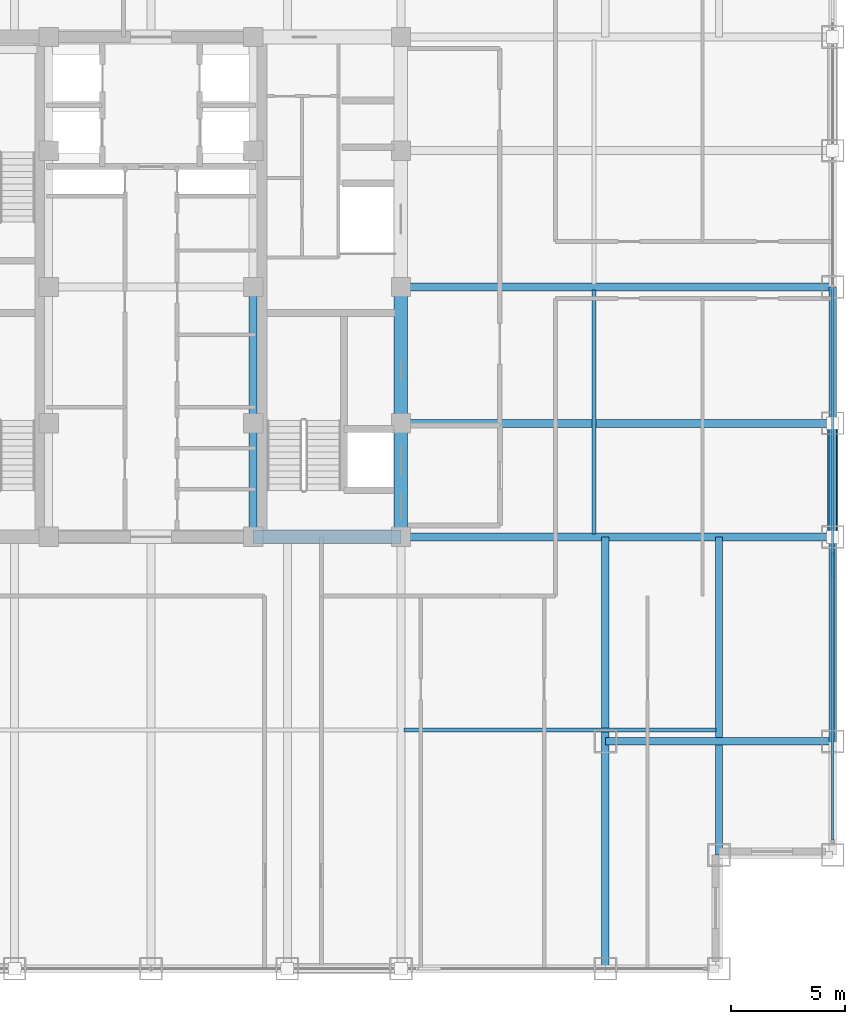
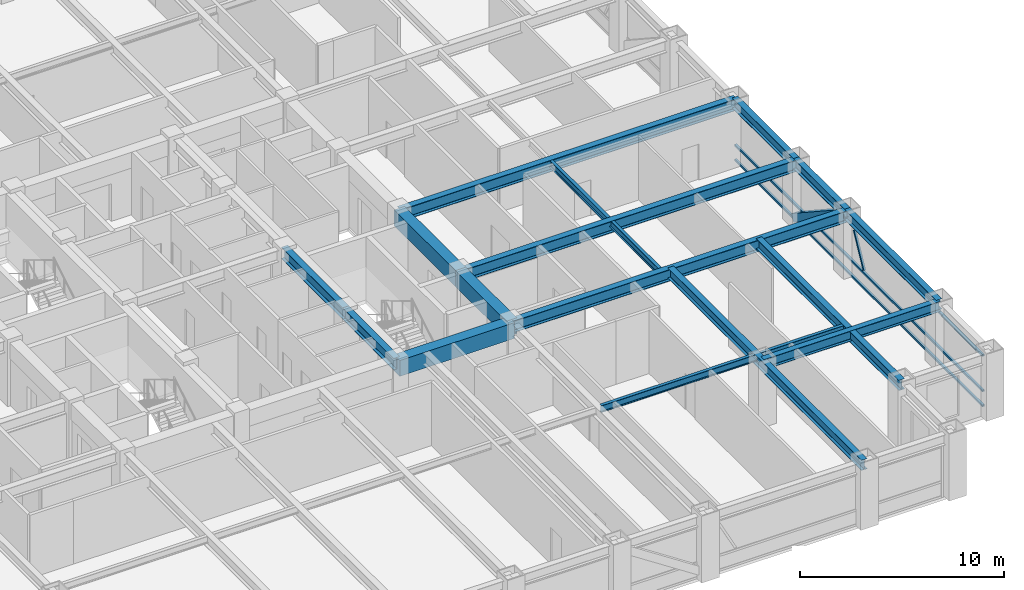
# One storey, part 9 of 25: 16 beams, 5 members, 1 element without a shape of its own.
"""IFC4 building model written with IfcOpenShell, lengths in metres."""

from ifc_helpers import new_model, si_unit, direction, frame, origin, origin_2d, place, context, subcontext, project, spatial, rectangle, hollow_rectangle, i_section, extrude, source, transform, mapped, material, material_profile, profile_set, type_object, element, aggregate, save


model = new_model("IFC4")

# Units and contexts
model_context = context("Model", 3, precision=1e-05, world=origin(), true_north=direction((0.0, 1.0)))
body_context = subcontext(model_context, "Body", "Model", "MODEL_VIEW")
ifc_project = project(units=[si_unit("LENGTHUNIT", "METRE"), si_unit("AREAUNIT", "SQUARE_METRE"), si_unit("VOLUMEUNIT", "CUBIC_METRE"), si_unit("PLANEANGLEUNIT", "RADIAN"), si_unit("MASSUNIT", "GRAM", prefix="KILO")], contexts=[model_context])

# Site, building, storey
site_placement = place(None, origin())
site = spatial("IfcSite", under=ifc_project, at=site_placement, CompositionType="ELEMENT")
building_placement = place(site_placement, origin())
building = spatial("IfcBuilding", under=site, at=building_placement, Name="Khorayat Bourse Tower", CompositionType="ELEMENT")
storey_placement = place(building_placement, frame((0.0, 0.0, 227.10009765625)))
storey = spatial("IfcBuildingStorey", under=building, at=storey_placement, Name="L53", CompositionType="ELEMENT", Elevation=227.10009765625)

# Beams
ifc_material_1 = material(Name="Steel ASTM A992 Grade 50", Category="steel")
ifc_material_profile_1 = material_profile(ifc_material_1, i_section(OverallWidth=0.35498046875, OverallDepth=0.695068359375, WebThickness=0.015380859375, FlangeThickness=0.02490234375, FilletRadius=0.01806640625, at=origin_2d()), Name="W690X217")
ifc_profile_set_1 = profile_set([ifc_material_profile_1], Name="Steel ASTM A992 Grade 50")
beam_type_1 = type_object("IfcBeamType", Name="BM-GIRD-690", PredefinedType="BEAM", material=ifc_profile_set_1)
shared_shape_1 = source(origin(), body_context, "Body", "SweptSolid", [
    extrude(i_section(OverallWidth=0.35498046875, OverallDepth=0.695068359375, WebThickness=0.015380859375, FlangeThickness=0.02490234375, FilletRadius=0.01806640625, at=origin_2d()), origin(), (0.0, 0.0, 1.0), 5.0),
])
beam_1_placement = place(storey_placement, frame((4.5, -11.0, 3.432373046875), z_axis=(0.0, 1.0, 0.0), x_axis=(-1.0, 0.0, 0.0)))
element("IfcBeam", 1, at=beam_1_placement, inside=storey, type_object=beam_type_1, Name="L53 BM-GIRD-690 BM-L53-CRX-09", PredefinedType="BEAM", context=body_context, shape_type="MappedRepresentation", body=[
    mapped(shared_shape_1, transform((0.0, 0.0, 0.0), scale=1.0)),
])
shared_shape_2 = source(origin(), body_context, "Body", "SweptSolid", [
    extrude(i_section(OverallWidth=0.35498046875, OverallDepth=0.695068359375, WebThickness=0.015380859375, FlangeThickness=0.02490234375, FilletRadius=0.01806640625, at=origin_2d()), origin(), (0.0, 0.0, 1.0), 6.0),
])
beam_2_placement = place(storey_placement, frame((4.5, -6.0, 3.432373046875), z_axis=(0.0, 1.0, 0.0), x_axis=(-1.0, 0.0, 0.0)))
element("IfcBeam", 2, at=beam_2_placement, inside=storey, type_object=beam_type_1, Name="L53 BM-GIRD-690 BM-L53-CRX-10", PredefinedType="BEAM", context=body_context, shape_type="MappedRepresentation", body=[
    mapped(shared_shape_2, transform((0.0, 0.0, 0.0), scale=1.0)),
])
ifc_material_profile_2 = material_profile(ifc_material_1, i_section(OverallWidth=0.324951171875, OverallDepth=0.615966796875, WebThickness=0.013916015625, FlangeThickness=0.021484375, FilletRadius=0.01611328125, at=origin_2d()), Name="W610X174")
ifc_profile_set_2 = profile_set([ifc_material_profile_2], Name="Steel ASTM A992 Grade 50")
beam_type_2 = type_object("IfcBeamType", Name="BM-GIRD-610", PredefinedType="BEAM", material=ifc_profile_set_2)
shared_shape_3 = source(origin(), body_context, "Body", "SweptSolid", [
    extrude(i_section(OverallWidth=0.324951171875, OverallDepth=0.615966796875, WebThickness=0.013916015625, FlangeThickness=0.021484375, FilletRadius=0.01611328125, at=origin_2d()), origin(), (0.0, 0.0, 1.0), 19.0),
])
beam_3_placement = place(storey_placement, frame((20.0, -30.0, 3.471923828125), z_axis=(0.0, 1.0, 0.0), x_axis=(-1.0, 0.0, 0.0)))
element("IfcBeam", 3, at=beam_3_placement, inside=storey, type_object=beam_type_2, Name="L53 BM-GIRD-610 BM-L53-CNRY-086", PredefinedType="BEAM", context=body_context, shape_type="MappedRepresentation", body=[
    mapped(shared_shape_3, transform((0.0, 0.0, 0.0), scale=1.0)),
])
shared_shape_4 = source(origin(), body_context, "Body", "SweptSolid", [
    extrude(i_section(OverallWidth=0.324951171875, OverallDepth=0.615966796875, WebThickness=0.013916015625, FlangeThickness=0.021484375, FilletRadius=0.01611328125, at=origin_2d()), origin(), (0.0, 0.0, 1.0), 10.0),
])
beam_4_placement = place(storey_placement, frame((20.0, -20.0, 3.471923828125), z_axis=(1.0, 0.0, 0.0), x_axis=(0.0, 1.0, 0.0)))
element("IfcBeam", 4, at=beam_4_placement, inside=storey, type_object=beam_type_2, Name="L53 BM-GIRD-610 BM-L53-CNRX-092", PredefinedType="BEAM", context=body_context, shape_type="MappedRepresentation", body=[
    mapped(shared_shape_4, transform((0.0, 0.0, 0.0), scale=1.0)),
])
ifc_material_profile_3 = material_profile(ifc_material_1, i_section(OverallWidth=0.180908203125, OverallDepth=0.4169921875, WebThickness=0.010986328125, FlangeThickness=0.018310546875, FilletRadius=0.011962890625, at=origin_2d()), Name="W410X85")
ifc_profile_set_3 = profile_set([ifc_material_profile_3], Name="Steel ASTM A992 Grade 50")
beam_type_3 = type_object("IfcBeamType", Name="BM-JOIST-410", PredefinedType="JOIST", material=ifc_profile_set_3)
shared_shape_5 = source(origin(), body_context, "Body", "SweptSolid", [
    extrude(i_section(OverallWidth=0.180908203125, OverallDepth=0.4169921875, WebThickness=0.010986328125, FlangeThickness=0.018310546875, FilletRadius=0.011962890625, at=origin_2d()), origin(), (0.0, 0.0, 1.0), 10.740234375),
])
beam_5_placement = place(storey_placement, frame((19.5, -10.8701171875, 3.5712890625), z_axis=(0.0, 1.0, 0.0), x_axis=(-1.0, 0.0, 0.0)))
element("IfcBeam", 5, at=beam_5_placement, inside=storey, type_object=beam_type_3, Name="L53 BM-JOIST-410 BM-L53-JSTY-104", PredefinedType="JOIST", context=body_context, shape_type="MappedRepresentation", body=[
    mapped(shared_shape_5, transform((0.0, 0.0, 0.0), scale=1.0)),
])
ifc_material_profile_4 = material_profile(ifc_material_1, i_section(OverallWidth=0.324951171875, OverallDepth=0.615966796875, WebThickness=0.013916015625, FlangeThickness=0.021484375, FilletRadius=0.01611328125, at=origin_2d()), Name="W610X174")
ifc_profile_set_4 = profile_set([ifc_material_profile_4], Name="Steel ASTM A992 Grade 50")
beam_type_4 = type_object("IfcBeamType", Name="BM-SPAN-610", PredefinedType="SPANDREL", material=ifc_profile_set_4)
shared_shape_6 = source(origin(), body_context, "Body", "SweptSolid", [
    extrude(i_section(OverallWidth=0.324951171875, OverallDepth=0.615966796875, WebThickness=0.013916015625, FlangeThickness=0.021484375, FilletRadius=0.01611328125, at=origin_2d()), origin(), (0.0, 0.0, 1.0), 9.0),
])
beam_6_placement = place(storey_placement, frame((30.0, -20.0, 3.471923828125), z_axis=(0.0, 1.0, 0.0), x_axis=(-1.0, 0.0, 0.0)))
element("IfcBeam", 6, at=beam_6_placement, inside=storey, type_object=beam_type_4, Name="L53 BM-SPAN-610 BM-L53-SPN-035", PredefinedType="SPANDREL", context=body_context, shape_type="MappedRepresentation", body=[
    mapped(shared_shape_6, transform((0.0, 0.0, 0.0), scale=1.0)),
])
shared_shape_7 = source(origin(), body_context, "Body", "SweptSolid", [
    extrude(i_section(OverallWidth=0.324951171875, OverallDepth=0.615966796875, WebThickness=0.013916015625, FlangeThickness=0.021484375, FilletRadius=0.01611328125, at=origin_2d()), origin(), (0.0, 0.0, 1.0), 5.0),
])
beam_7_placement = place(storey_placement, frame((30.0, -11.0, 3.471923828125), z_axis=(0.0, 1.0, 0.0), x_axis=(-1.0, 0.0, 0.0)))
element("IfcBeam", 7, at=beam_7_placement, inside=storey, type_object=beam_type_4, Name="L53 BM-SPAN-610 BM-L53-SPN-036", PredefinedType="SPANDREL", context=body_context, shape_type="MappedRepresentation", body=[
    mapped(shared_shape_7, transform((0.0, 0.0, 0.0), scale=1.0)),
])
shared_shape_8 = source(origin(), body_context, "Body", "SweptSolid", [
    extrude(i_section(OverallWidth=0.324951171875, OverallDepth=0.615966796875, WebThickness=0.013916015625, FlangeThickness=0.021484375, FilletRadius=0.01611328125, at=origin_2d()), origin(), (0.0, 0.0, 1.0), 6.0),
])
beam_8_placement = place(storey_placement, frame((30.0, -6.0, 3.471923828125), z_axis=(0.0, 1.0, 0.0), x_axis=(-1.0, 0.0, 0.0)))
element("IfcBeam", 8, at=beam_8_placement, inside=storey, type_object=beam_type_4, Name="L53 BM-SPAN-610 BM-L53-SPN-037", PredefinedType="SPANDREL", context=body_context, shape_type="MappedRepresentation", body=[
    mapped(shared_shape_8, transform((0.0, 0.0, 0.0), scale=1.0)),
])
ifc_material_2 = material(Name="Concrete C60/75", Category="concrete")
ifc_material_profile_5 = material_profile(ifc_material_2, rectangle(XDim=0.60009765625, YDim=0.949951171875, at=origin_2d()), Name="RC 600x950")
ifc_profile_set_5 = profile_set([ifc_material_profile_5], Name="Concrete C60/75")
beam_type_5 = type_object("IfcBeamType", Name="BM-COUP-950", PredefinedType="BEAM", material=ifc_profile_set_5)
shared_shape_9 = source(origin(), body_context, "Body", "SweptSolid", [
    extrude(rectangle(XDim=0.60009765625, YDim=0.949951171875, at=origin_2d()), origin(), (0.0, 0.0, 1.0), 5.0),
])
beam_9_placement = place(storey_placement, frame((11.0, -11.0, 3.304931640625), z_axis=(0.0, 1.0, 0.0), x_axis=(-1.0, 0.0, 0.0)))
element("IfcBeam", 9, at=beam_9_placement, inside=storey, type_object=beam_type_5, Name="L53 BM-COUP-950 BM-L53-CRX-13", PredefinedType="BEAM", context=body_context, shape_type="MappedRepresentation", body=[
    mapped(shared_shape_9, transform((0.0, 0.0, 0.0), scale=1.0)),
])
shared_shape_10 = source(origin(), body_context, "Body", "SweptSolid", [
    extrude(rectangle(XDim=0.60009765625, YDim=0.949951171875, at=origin_2d()), origin(), (0.0, 0.0, 1.0), 6.0),
])
beam_10_placement = place(storey_placement, frame((11.0, -6.0, 3.304931640625), z_axis=(0.0, 1.0, 0.0), x_axis=(-1.0, 0.0, 0.0)))
element("IfcBeam", 10, at=beam_10_placement, inside=storey, type_object=beam_type_5, Name="L53 BM-COUP-950 BM-L53-CRX-14", PredefinedType="BEAM", context=body_context, shape_type="MappedRepresentation", body=[
    mapped(shared_shape_10, transform((0.0, 0.0, 0.0), scale=1.0)),
])
shared_shape_11 = source(origin(), body_context, "Body", "SweptSolid", [
    extrude(rectangle(XDim=0.60009765625, YDim=0.949951171875, at=origin_2d()), origin(), (0.0, 0.0, 1.0), 6.5),
])
beam_11_placement = place(storey_placement, frame((4.5, -11.0, 3.304931640625), z_axis=(1.0, 0.0, 0.0), x_axis=(0.0, 1.0, 0.0)))
element("IfcBeam", 11, at=beam_11_placement, inside=storey, type_object=beam_type_5, Name="L53 BM-COUP-950 BM-L53-CRY-19", PredefinedType="BEAM", context=body_context, shape_type="MappedRepresentation", body=[
    mapped(shared_shape_11, transform((0.0, 0.0, 0.0), scale=1.0)),
])
shared_shape_12 = source(origin(), body_context, "Body", "SweptSolid", [
    extrude(i_section(OverallWidth=0.35498046875, OverallDepth=0.695068359375, WebThickness=0.015380859375, FlangeThickness=0.02490234375, FilletRadius=0.01806640625, at=origin_2d()), origin(), (0.0, 0.0, 1.0), 19.0),
])
for number, where, z_axis, x_axis, name in (
    (12, (11.0, -11.0, 3.432373046875), (1.0, 0.0, 0.0), (0.0, 1.0, 0.0), "L53 BM-GIRD-690 BM-L53-RADX-074"),
    (13, (11.0, -6.0, 3.432373046875), (1.0, 0.0, 0.0), (0.0, 1.0, 0.0), "L53 BM-GIRD-690 BM-L53-RADX-076"),
    (14, (11.0, 0.0, 3.432373046875), (1.0, 0.0, 0.0), (0.0, 1.0, 0.0), "L53 BM-GIRD-690 BM-L53-RADX-078"),
):
    element("IfcBeam", number, at=place(storey_placement, frame(where, z_axis=z_axis, x_axis=x_axis)), inside=storey, type_object=beam_type_1, Name=name, PredefinedType="BEAM", context=body_context, shape_type="MappedRepresentation", body=[
        mapped(shared_shape_12, transform((0.0, 0.0, 0.0), scale=1.0)),
    ])
shared_shape_13 = source(origin(), body_context, "Body", "SweptSolid", [
    extrude(i_section(OverallWidth=0.324951171875, OverallDepth=0.615966796875, WebThickness=0.013916015625, FlangeThickness=0.021484375, FilletRadius=0.01611328125, at=origin_2d()), origin(), (0.0, 0.0, 1.0), 14.0),
])
beam_12_placement = place(storey_placement, frame((25.0, -25.0, 3.471923828125), z_axis=(0.0, 1.0, 0.0), x_axis=(-1.0, 0.0, 0.0)))
element("IfcBeam", 15, at=beam_12_placement, inside=storey, type_object=beam_type_2, Name="L53 BM-GIRD-610 BM-L53-CNRY-090", PredefinedType="BEAM", context=body_context, shape_type="MappedRepresentation", body=[
    mapped(shared_shape_13, transform((0.0, 0.0, 0.0), scale=1.0)),
])
shared_shape_14 = source(origin(), body_context, "Body", "SweptSolid", [
    extrude(i_section(OverallWidth=0.180908203125, OverallDepth=0.4169921875, WebThickness=0.010986328125, FlangeThickness=0.018310546875, FilletRadius=0.011962890625, at=origin_2d()), origin(), (0.0, 0.0, 1.0), 13.740234375),
])
beam_13_placement = place(storey_placement, frame((11.1298828125, -19.5, 3.5712890625), z_axis=(1.0, 0.0, 0.0), x_axis=(0.0, 1.0, 0.0)))
element("IfcBeam", 16, at=beam_13_placement, inside=storey, type_object=beam_type_3, Name="L53 BM-JOIST-410 BM-L53-JSTX-098", PredefinedType="JOIST", context=body_context, shape_type="MappedRepresentation", body=[
    mapped(shared_shape_14, transform((0.0, 0.0, 0.0), scale=1.0)),
])

# Member
ifc_material_3 = material(Name="Steel EN 10025-4 S460M", Category="steel")
ifc_material_profile_6 = material_profile(ifc_material_3, hollow_rectangle(XDim=0.449951171875, YDim=0.449951171875, WallThickness=0.02490234375, at=origin_2d()), Name="HSS 450x450x25")
ifc_profile_set_6 = profile_set([ifc_material_profile_6], Name="Steel EN 10025-4 S460M")
member_type_1 = type_object("IfcMemberType", Name="MBR-TUBE-450", PredefinedType="BRACE", material=ifc_profile_set_6)
shared_shape_15 = source(origin(), body_context, "Body", "SweptSolid", [
    extrude(hollow_rectangle(XDim=0.449951171875, YDim=0.449951171875, WallThickness=0.02490234375, at=origin_2d()), origin(), (0.0, 0.0, 1.0), 5.979736328125),
])
member_1_placement = place(storey_placement, frame((30.0, -11.0, 3.52978515625), z_axis=(0.0, 0.836160261256, -0.548485202623), x_axis=(-1.0, 0.0, 0.0)))
element("IfcMember", 17, at=member_1_placement, inside=storey, type_object=member_type_1, Name="L53 Perimeter Tube Brace 07", PredefinedType="BRACE", context=body_context, shape_type="MappedRepresentation", body=[
    mapped(shared_shape_15, transform((0.0, 0.0, 0.0), scale=1.0)),
])

# Curtain wall, members
ifc_material_4 = material(Name="Aluminium EN AW-6063 T6", Category="aluminium")
curtain_wall_type = type_object("IfcCurtainWallType", Name="CW-SYS-03", PredefinedType="NOTDEFINED", material=ifc_material_4)
curtain_wall_placement = place(storey_placement, origin())
curtain_wall = element("IfcCurtainWall", 18, at=curtain_wall_placement, inside=storey, type_object=curtain_wall_type, Name="L53 Curtain Wall CW-L53-E1", PredefinedType="NOTDEFINED")
ifc_material_profile_7 = material_profile(ifc_material_4, hollow_rectangle(XDim=0.1201171875, YDim=0.1201171875, WallThickness=0.0048828125, at=origin_2d()), Name="ALU 120x120x5")
ifc_profile_set_7 = profile_set([ifc_material_profile_7], Name="Aluminium EN AW-6063 T6")
member_type_2 = type_object("IfcMemberType", Name="CWM-DIAG-120", PredefinedType="MULLION", material=ifc_profile_set_7)
shared_shape_16 = source(origin(), body_context, "Body", "SweptSolid", [
    extrude(hollow_rectangle(XDim=0.1201171875, YDim=0.1201171875, WallThickness=0.0048828125, at=origin_2d()), origin(), (0.0, 0.0, 1.0), 2.079345703125),
])
member_2_placement = place(storey_placement, frame((30.0, -12.67919921875, 1.08984375), z_axis=(0.0, 0.465760949701, 0.884910581773), x_axis=(-1.0, 0.0, 0.0)))
member_2 = element("IfcMember", 19, at=member_2_placement, type_object=member_type_2, Name="CW-L53-E1 Faceted Diagonal Mullion 1", PredefinedType="MULLION", context=body_context, shape_type="MappedRepresentation", body=[
    mapped(shared_shape_16, transform((0.0, 0.0, 0.0), scale=1.0)),
])
ifc_material_profile_8 = material_profile(ifc_material_4, hollow_rectangle(XDim=0.1201171875, YDim=0.1201171875, WallThickness=0.0048828125, at=origin_2d()), Name="ALU 120x120x5")
ifc_profile_set_8 = profile_set([ifc_material_profile_8], Name="Aluminium EN AW-6063 T6")
member_type_3 = type_object("IfcMemberType", Name="CWT-HORZ-120", PredefinedType="USERDEFINED", material=ifc_profile_set_8)
shared_shape_17 = source(origin(), body_context, "Body", "SweptSolid", [
    extrude(hollow_rectangle(XDim=0.1201171875, YDim=0.1201171875, WallThickness=0.0048828125, at=origin_2d()), origin(), (0.0, 0.0, 1.0), 24.27001953125),
])
member_3_placement = place(storey_placement, frame((30.0, -24.330078125, 0.059814453125), z_axis=(0.0, 1.0, 0.0), x_axis=(-1.0, 0.0, 0.0)))
member_3 = element("IfcMember", 20, at=member_3_placement, type_object=member_type_3, Name="CW-L53-E1 Horizontal Transom 1-1", ObjectType="TRANSOM", PredefinedType="USERDEFINED", context=body_context, shape_type="MappedRepresentation", body=[
    mapped(shared_shape_17, transform((0.0, 0.0, 0.0), scale=1.0)),
])
member_4_placement = place(storey_placement, frame((30.0, -24.330078125, 0.949951171875), z_axis=(0.0, 1.0, 0.0), x_axis=(-1.0, 0.0, 0.0)))
member_4 = element("IfcMember", 21, at=member_4_placement, type_object=member_type_3, Name="CW-L53-E1 Horizontal Transom 1-2", ObjectType="TRANSOM", PredefinedType="USERDEFINED", context=body_context, shape_type="MappedRepresentation", body=[
    mapped(shared_shape_17, transform((0.0, 0.0, 0.0), scale=1.0)),
])
member_5_placement = place(storey_placement, frame((30.0, -24.330078125, 3.06982421875), z_axis=(0.0, 1.0, 0.0), x_axis=(-1.0, 0.0, 0.0)))
member_5 = element("IfcMember", 22, at=member_5_placement, type_object=member_type_3, Name="CW-L53-E1 Horizontal Transom 1-3", ObjectType="TRANSOM", PredefinedType="USERDEFINED", context=body_context, shape_type="MappedRepresentation", body=[
    mapped(shared_shape_17, transform((0.0, 0.0, 0.0), scale=1.0)),
])
aggregate(curtain_wall, [member_3, member_4, member_5, member_2])

save(model, "model.ifc")
